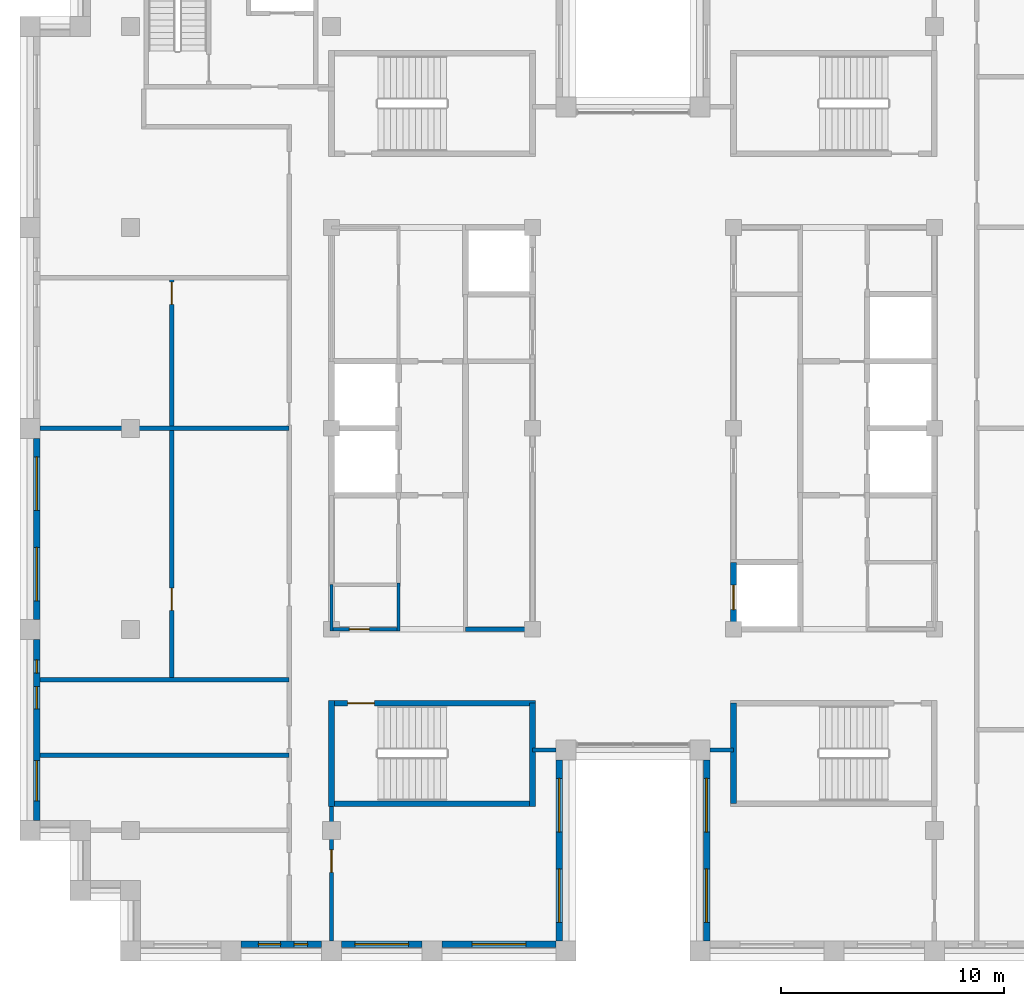
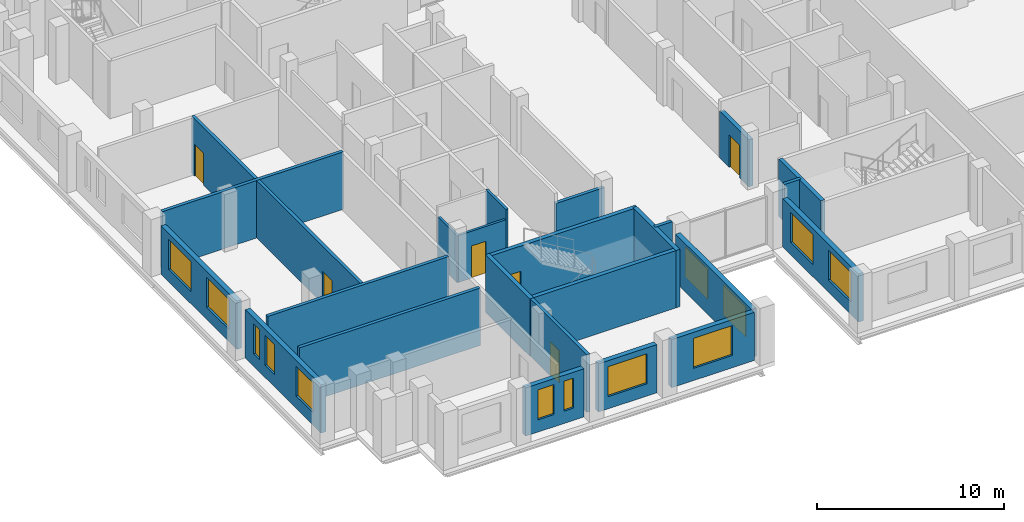
# One storey, part 6 of 13: 24 walls, 13 windows, 6 doors, 19 openings.
"""IFC4 building model written with IfcOpenShell, lengths in metres."""

from ifc_helpers import new_model, si_unit, direction, frame, frame_2d, origin, place, context, subcontext, project, spatial, rectangle, extrude, material, layer, layer_set, type_object, element, fill, save


model = new_model("IFC4")

# Units and contexts
model_context = context("Model", 3, precision=1e-05, world=origin(), true_north=direction((0.0, 1.0)))
body_context = subcontext(model_context, "Body", "Model", "MODEL_VIEW")
ifc_project = project(units=[si_unit("LENGTHUNIT", "METRE"), si_unit("AREAUNIT", "SQUARE_METRE"), si_unit("VOLUMEUNIT", "CUBIC_METRE"), si_unit("PLANEANGLEUNIT", "RADIAN"), si_unit("MASSUNIT", "GRAM", prefix="KILO")], contexts=[model_context])

# Site, building, storey
site_placement = place(None, origin())
site = spatial("IfcSite", under=ifc_project, at=site_placement, CompositionType="ELEMENT")
building_placement = place(site_placement, origin())
building = spatial("IfcBuilding", under=site, at=building_placement, Name="Corbelhall Arena Tower", CompositionType="ELEMENT")
storey_placement = place(building_placement, frame((0.0, 0.0, 308.0)))
storey = spatial("IfcBuildingStorey", under=building, at=storey_placement, Name="L67", CompositionType="ELEMENT", Elevation=308.0)

# Wall, openings, windows
ifc_material_1 = material(Name="Precast concrete C40/50 with granite facing", Category="masonry")
ifc_layer_1 = layer(ifc_material_1, 0.300048828125)
ifc_layer_set_1 = layer_set([ifc_layer_1], Name="EV-IW1 Infill panel 300")
wall_type_1 = type_object("IfcWallType", Name="EV-IW1 Infill panel 300", PredefinedType="SOLIDWALL", material=ifc_layer_set_1)
wall_1_placement = place(storey_placement, frame((-26.699951171875, -0.449951171875, 0.0), z_axis=(0.0, 0.0, 1.0), x_axis=(0.0, -1.0, 0.0)))
wall_1 = element("IfcWall", 1, at=wall_1_placement, inside=storey, type_object=wall_type_1, Name="Infill panel IW1", PredefinedType="SOLIDWALL", context=body_context, shape_type="SweptSolid", body=[
    extrude(rectangle(XDim=8.10009765625, YDim=0.300048828125, at=frame_2d((4.050048828125, 0.0))), origin(), (0.0, 0.0, 1.0), 3.139892578125),
])
opening_1_placement = place(wall_1_placement, frame((0.824951171875, 0.0, 0.800048828125)))
opening_1 = element("IfcOpeningElement", 2, at=opening_1_placement, cuts=wall_1, Name="Opening WN1", PredefinedType="OPENING", context=body_context, shape_type="SweptSolid", body=[
    extrude(rectangle(XDim=2.39990234375, YDim=1.949951171875, at=frame_2d((1.199951171875, 0.97509765625))), frame((0.0, 0.14990234375, 0.0), z_axis=(0.0, -1.0, 0.0), x_axis=(1.0, 0.0, 0.0)), (0.0, 0.0, 1.0), 0.300048828125),
])
opening_2_placement = place(wall_1_placement, frame((4.875, 0.0, 0.800048828125)))
opening_2 = element("IfcOpeningElement", 3, at=opening_2_placement, cuts=wall_1, Name="Opening WN1", PredefinedType="OPENING", context=body_context, shape_type="SweptSolid", body=[
    extrude(rectangle(XDim=2.39990234375, YDim=1.949951171875, at=frame_2d((1.199951171875, 0.97509765625))), frame((0.0, 0.14990234375, 0.0), z_axis=(0.0, -1.0, 0.0), x_axis=(1.0, 0.0, 0.0)), (0.0, 0.0, 1.0), 0.300048828125),
])
ifc_material_2 = material(Name="Aluminium black anodised", Category="aluminium")
window_type_1 = type_object("IfcWindowType", Name="EV-WN1 Office window", PartitioningType="SINGLE_PANEL", PredefinedType="WINDOW", material=ifc_material_2)
window_1_placement = place(opening_1_placement, origin())
window_1 = element("IfcWindow", 4, at=window_1_placement, inside=storey, type_object=window_type_1, Name="Window WN1", OverallHeight=1.949951171875, OverallWidth=2.39990234375, PartitioningType="SINGLE_PANEL", PredefinedType="WINDOW", context=body_context, shape_type="SweptSolid", body=[
    extrude(rectangle(XDim=2.39990234375, YDim=1.949951171875, at=frame_2d((1.199951171875, 0.97509765625))), frame((0.0, 0.030029296875, 0.0), z_axis=(0.0, -1.0, 0.0), x_axis=(1.0, 0.0, 0.0)), (0.0, 0.0, 1.0), 0.06005859375),
])
fill(opening_1, window_1)
window_2_placement = place(opening_2_placement, origin())
window_2 = element("IfcWindow", 5, at=window_2_placement, inside=storey, type_object=window_type_1, Name="Window WN1", OverallHeight=1.949951171875, OverallWidth=2.39990234375, PartitioningType="SINGLE_PANEL", PredefinedType="WINDOW", context=body_context, shape_type="SweptSolid", body=[
    extrude(rectangle(XDim=2.39990234375, YDim=1.949951171875, at=frame_2d((1.199951171875, 0.97509765625))), frame((0.0, 0.030029296875, 0.0), z_axis=(0.0, -1.0, 0.0), x_axis=(1.0, 0.0, 0.0)), (0.0, 0.0, 1.0), 0.06005859375),
])
fill(opening_2, window_2)

wall_2_placement = place(storey_placement, frame((-26.699951171875, -9.449951171875, 0.0), z_axis=(0.0, 0.0, 1.0), x_axis=(0.0, -1.0, 0.0)))
wall_2 = element("IfcWall", 6, at=wall_2_placement, inside=storey, type_object=wall_type_1, Name="Infill panel IW1", PredefinedType="SOLIDWALL", context=body_context, shape_type="SweptSolid", body=[
    extrude(rectangle(XDim=8.10009765625, YDim=0.300048828125, at=frame_2d((4.050048828125, 0.0))), origin(), (0.0, 0.0, 1.0), 3.139892578125),
])
opening_3_placement = place(wall_2_placement, frame((0.91259765625, 0.0, 0.800048828125)))
opening_3 = element("IfcOpeningElement", 7, at=opening_3_placement, cuts=wall_2, Name="Opening WN5", PredefinedType="OPENING", context=body_context, shape_type="SweptSolid", body=[
    extrude(rectangle(XDim=0.60009765625, YDim=1.949951171875, at=frame_2d((0.300048828125, 0.97509765625))), frame((0.0, 0.14990234375, 0.0), z_axis=(0.0, -1.0, 0.0), x_axis=(1.0, 0.0, 0.0)), (0.0, 0.0, 1.0), 0.300048828125),
])
opening_4_placement = place(wall_2_placement, frame((2.112548828125, 0.0, 0.800048828125)))
opening_4 = element("IfcOpeningElement", 8, at=opening_4_placement, cuts=wall_2, Name="Opening WN6", PredefinedType="OPENING", context=body_context, shape_type="SweptSolid", body=[
    extrude(rectangle(XDim=1.0, YDim=1.949951171875, at=frame_2d((0.5, 0.97509765625))), frame((0.0, 0.14990234375, 0.0), z_axis=(0.0, -1.0, 0.0), x_axis=(1.0, 0.0, 0.0)), (0.0, 0.0, 1.0), 0.300048828125),
])
opening_5_placement = place(wall_2_placement, frame((5.425048828125, 0.0, 0.800048828125)))
opening_5 = element("IfcOpeningElement", 9, at=opening_5_placement, cuts=wall_2, Name="Opening WN8", PredefinedType="OPENING", context=body_context, shape_type="SweptSolid", body=[
    extrude(rectangle(XDim=1.800048828125, YDim=1.949951171875, at=frame_2d((0.89990234375, 0.97509765625))), frame((0.0, 0.14990234375, 0.0), z_axis=(0.0, -1.0, 0.0), x_axis=(1.0, 0.0, 0.0)), (0.0, 0.0, 1.0), 0.300048828125),
])
window_type_2 = type_object("IfcWindowType", Name="EV-WN5 Office window 600", PartitioningType="SINGLE_PANEL", PredefinedType="WINDOW", material=ifc_material_2)
window_3_placement = place(opening_3_placement, origin())
window_3 = element("IfcWindow", 10, at=window_3_placement, inside=storey, type_object=window_type_2, Name="Window WN5", OverallHeight=1.949951171875, OverallWidth=0.60009765625, PartitioningType="SINGLE_PANEL", PredefinedType="WINDOW", context=body_context, shape_type="SweptSolid", body=[
    extrude(rectangle(XDim=0.60009765625, YDim=1.949951171875, at=frame_2d((0.300048828125, 0.97509765625))), frame((0.0, 0.030029296875, 0.0), z_axis=(0.0, -1.0, 0.0), x_axis=(1.0, 0.0, 0.0)), (0.0, 0.0, 1.0), 0.06005859375),
])
fill(opening_3, window_3)
window_type_3 = type_object("IfcWindowType", Name="EV-WN6 Office window 1000", PartitioningType="SINGLE_PANEL", PredefinedType="WINDOW", material=ifc_material_2)
window_4_placement = place(opening_4_placement, origin())
window_4 = element("IfcWindow", 11, at=window_4_placement, inside=storey, type_object=window_type_3, Name="Window WN6", OverallHeight=1.949951171875, OverallWidth=1.0, PartitioningType="SINGLE_PANEL", PredefinedType="WINDOW", context=body_context, shape_type="SweptSolid", body=[
    extrude(rectangle(XDim=1.0, YDim=1.949951171875, at=frame_2d((0.5, 0.97509765625))), frame((0.0, 0.030029296875, 0.0), z_axis=(0.0, -1.0, 0.0), x_axis=(1.0, 0.0, 0.0)), (0.0, 0.0, 1.0), 0.06005859375),
])
fill(opening_4, window_4)
window_type_4 = type_object("IfcWindowType", Name="EV-WN8 Office window 1800", PartitioningType="SINGLE_PANEL", PredefinedType="WINDOW", material=ifc_material_2)
window_5_placement = place(opening_5_placement, origin())
window_5 = element("IfcWindow", 12, at=window_5_placement, inside=storey, type_object=window_type_4, Name="Window WN8", OverallHeight=1.949951171875, OverallWidth=1.800048828125, PartitioningType="SINGLE_PANEL", PredefinedType="WINDOW", context=body_context, shape_type="SweptSolid", body=[
    extrude(rectangle(XDim=1.800048828125, YDim=1.949951171875, at=frame_2d((0.89990234375, 0.97509765625))), frame((0.0, 0.030029296875, 0.0), z_axis=(0.0, -1.0, 0.0), x_axis=(1.0, 0.0, 0.0)), (0.0, 0.0, 1.0), 0.06005859375),
])
fill(opening_5, window_5)

wall_3_placement = place(storey_placement, frame((-17.550048828125, -23.10009765625, 0.0), z_axis=(0.0, 0.0, 1.0), x_axis=(1.0, 0.0, 0.0)))
wall_3 = element("IfcWall", 13, at=wall_3_placement, inside=storey, type_object=wall_type_1, Name="Infill panel IW1", PredefinedType="SOLIDWALL", context=body_context, shape_type="SweptSolid", body=[
    extrude(rectangle(XDim=3.60009765625, YDim=0.300048828125, at=frame_2d((1.800048828125, 0.0))), origin(), (0.0, 0.0, 1.0), 3.139892578125),
])
opening_6_placement = place(wall_3_placement, frame((0.77490234375, 0.0, 0.800048828125)))
opening_6 = element("IfcOpeningElement", 14, at=opening_6_placement, cuts=wall_3, Name="Opening WN6", PredefinedType="OPENING", context=body_context, shape_type="SweptSolid", body=[
    extrude(rectangle(XDim=1.0, YDim=1.949951171875, at=frame_2d((0.5, 0.97509765625))), frame((0.0, 0.14990234375, 0.0), z_axis=(0.0, -1.0, 0.0), x_axis=(1.0, 0.0, 0.0)), (0.0, 0.0, 1.0), 0.300048828125),
])
opening_7_placement = place(wall_3_placement, frame((2.375, 0.0, 0.800048828125)))
opening_7 = element("IfcOpeningElement", 15, at=opening_7_placement, cuts=wall_3, Name="Opening WN5", PredefinedType="OPENING", context=body_context, shape_type="SweptSolid", body=[
    extrude(rectangle(XDim=0.60009765625, YDim=1.949951171875, at=frame_2d((0.300048828125, 0.97509765625))), frame((0.0, 0.14990234375, 0.0), z_axis=(0.0, -1.0, 0.0), x_axis=(1.0, 0.0, 0.0)), (0.0, 0.0, 1.0), 0.300048828125),
])
window_6_placement = place(opening_7_placement, origin())
window_6 = element("IfcWindow", 16, at=window_6_placement, inside=storey, type_object=window_type_2, Name="Window WN5", OverallHeight=1.949951171875, OverallWidth=0.60009765625, PartitioningType="SINGLE_PANEL", PredefinedType="WINDOW", context=body_context, shape_type="SweptSolid", body=[
    extrude(rectangle(XDim=0.60009765625, YDim=1.949951171875, at=frame_2d((0.300048828125, 0.97509765625))), frame((0.0, 0.030029296875, 0.0), z_axis=(0.0, -1.0, 0.0), x_axis=(1.0, 0.0, 0.0)), (0.0, 0.0, 1.0), 0.06005859375),
])
fill(opening_7, window_6)
window_7_placement = place(opening_6_placement, origin())
window_7 = element("IfcWindow", 17, at=window_7_placement, inside=storey, type_object=window_type_3, Name="Window WN6", OverallHeight=1.949951171875, OverallWidth=1.0, PartitioningType="SINGLE_PANEL", PredefinedType="WINDOW", context=body_context, shape_type="SweptSolid", body=[
    extrude(rectangle(XDim=1.0, YDim=1.949951171875, at=frame_2d((0.5, 0.97509765625))), frame((0.0, 0.030029296875, 0.0), z_axis=(0.0, -1.0, 0.0), x_axis=(1.0, 0.0, 0.0)), (0.0, 0.0, 1.0), 0.06005859375),
])
fill(opening_6, window_7)

# Wall, opening, window
wall_4_placement = place(storey_placement, frame((-13.050048828125, -23.10009765625, 0.0), z_axis=(0.0, 0.0, 1.0), x_axis=(1.0, 0.0, 0.0)))
wall_4 = element("IfcWall", 18, at=wall_4_placement, inside=storey, type_object=wall_type_1, Name="Infill panel IW1", PredefinedType="SOLIDWALL", context=body_context, shape_type="SweptSolid", body=[
    extrude(rectangle(XDim=3.60009765625, YDim=0.300048828125, at=frame_2d((1.800048828125, 0.0))), origin(), (0.0, 0.0, 1.0), 3.139892578125),
])
opening_8_placement = place(wall_4_placement, frame((0.60009765625, 0.0, 0.800048828125)))
opening_8 = element("IfcOpeningElement", 19, at=opening_8_placement, cuts=wall_4, Name="Opening WN1", PredefinedType="OPENING", context=body_context, shape_type="SweptSolid", body=[
    extrude(rectangle(XDim=2.39990234375, YDim=1.949951171875, at=frame_2d((1.199951171875, 0.97509765625))), frame((0.0, 0.14990234375, 0.0), z_axis=(0.0, -1.0, 0.0), x_axis=(1.0, 0.0, 0.0)), (0.0, 0.0, 1.0), 0.300048828125),
])
window_8_placement = place(opening_8_placement, origin())
window_8 = element("IfcWindow", 20, at=window_8_placement, inside=storey, type_object=window_type_1, Name="Window WN1", OverallHeight=1.949951171875, OverallWidth=2.39990234375, PartitioningType="SINGLE_PANEL", PredefinedType="WINDOW", context=body_context, shape_type="SweptSolid", body=[
    extrude(rectangle(XDim=2.39990234375, YDim=1.949951171875, at=frame_2d((1.199951171875, 0.97509765625))), frame((0.0, 0.030029296875, 0.0), z_axis=(0.0, -1.0, 0.0), x_axis=(1.0, 0.0, 0.0)), (0.0, 0.0, 1.0), 0.06005859375),
])
fill(opening_8, window_8)

wall_5_placement = place(storey_placement, frame((-8.550048828125, -23.10009765625, 0.0), z_axis=(0.0, 0.0, 1.0), x_axis=(1.0, 0.0, 0.0)))
wall_5 = element("IfcWall", 21, at=wall_5_placement, inside=storey, type_object=wall_type_1, Name="Infill panel IW1", PredefinedType="SOLIDWALL", context=body_context, shape_type="SweptSolid", body=[
    extrude(rectangle(XDim=5.10009765625, YDim=0.300048828125, at=frame_2d((2.550048828125, 0.0))), origin(), (0.0, 0.0, 1.0), 3.139892578125),
])
opening_9_placement = place(wall_5_placement, frame((1.35009765625, 0.0, 0.800048828125)))
opening_9 = element("IfcOpeningElement", 22, at=opening_9_placement, cuts=wall_5, Name="Opening WN1", PredefinedType="OPENING", context=body_context, shape_type="SweptSolid", body=[
    extrude(rectangle(XDim=2.39990234375, YDim=1.949951171875, at=frame_2d((1.199951171875, 0.97509765625))), frame((0.0, 0.14990234375, 0.0), z_axis=(0.0, -1.0, 0.0), x_axis=(1.0, 0.0, 0.0)), (0.0, 0.0, 1.0), 0.300048828125),
])
window_9_placement = place(opening_9_placement, origin())
window_9 = element("IfcWindow", 23, at=window_9_placement, inside=storey, type_object=window_type_1, Name="Window WN1", OverallHeight=1.949951171875, OverallWidth=2.39990234375, PartitioningType="SINGLE_PANEL", PredefinedType="WINDOW", context=body_context, shape_type="SweptSolid", body=[
    extrude(rectangle(XDim=2.39990234375, YDim=1.949951171875, at=frame_2d((1.199951171875, 0.97509765625))), frame((0.0, 0.030029296875, 0.0), z_axis=(0.0, -1.0, 0.0), x_axis=(1.0, 0.0, 0.0)), (0.0, 0.0, 1.0), 0.06005859375),
])
fill(opening_9, window_9)

# Wall, openings, windows
wall_6_placement = place(storey_placement, frame((-3.300048828125, -22.949951171875, 0.0), z_axis=(0.0, 0.0, 1.0), x_axis=(0.0, 1.0, 0.0)))
wall_6 = element("IfcWall", 24, at=wall_6_placement, inside=storey, type_object=wall_type_1, Name="Infill panel IW1", PredefinedType="SOLIDWALL", context=body_context, shape_type="SweptSolid", body=[
    extrude(rectangle(XDim=8.099853515625, YDim=0.300048828125, at=frame_2d((4.0498046875, 0.0))), origin(), (0.0, 0.0, 1.0), 3.139892578125),
])
opening_10_placement = place(wall_6_placement, frame((0.824951171875, 0.0, 0.800048828125)))
opening_10 = element("IfcOpeningElement", 25, at=opening_10_placement, cuts=wall_6, Name="Opening WN1", PredefinedType="OPENING", context=body_context, shape_type="SweptSolid", body=[
    extrude(rectangle(XDim=2.39990234375, YDim=1.949951171875, at=frame_2d((1.199951171875, 0.97509765625))), frame((0.0, 0.14990234375, 0.0), z_axis=(0.0, -1.0, 0.0), x_axis=(1.0, 0.0, 0.0)), (0.0, 0.0, 1.0), 0.300048828125),
])
opening_11_placement = place(wall_6_placement, frame((4.875, 0.0, 0.800048828125)))
opening_11 = element("IfcOpeningElement", 26, at=opening_11_placement, cuts=wall_6, Name="Opening WN1", PredefinedType="OPENING", context=body_context, shape_type="SweptSolid", body=[
    extrude(rectangle(XDim=2.39990234375, YDim=1.949951171875, at=frame_2d((1.199951171875, 0.97509765625))), frame((0.0, 0.14990234375, 0.0), z_axis=(0.0, -1.0, 0.0), x_axis=(1.0, 0.0, 0.0)), (0.0, 0.0, 1.0), 0.300048828125),
])
window_10_placement = place(opening_10_placement, origin())
window_10 = element("IfcWindow", 27, at=window_10_placement, inside=storey, type_object=window_type_1, Name="Window WN1", OverallHeight=1.949951171875, OverallWidth=2.39990234375, PartitioningType="SINGLE_PANEL", PredefinedType="WINDOW", context=body_context, shape_type="SweptSolid", body=[
    extrude(rectangle(XDim=2.39990234375, YDim=1.949951171875, at=frame_2d((1.199951171875, 0.97509765625))), frame((0.0, 0.030029296875, 0.0), z_axis=(0.0, -1.0, 0.0), x_axis=(1.0, 0.0, 0.0)), (0.0, 0.0, 1.0), 0.06005859375),
])
fill(opening_10, window_10)
window_11_placement = place(opening_11_placement, origin())
window_11 = element("IfcWindow", 28, at=window_11_placement, inside=storey, type_object=window_type_1, Name="Window WN1", OverallHeight=1.949951171875, OverallWidth=2.39990234375, PartitioningType="SINGLE_PANEL", PredefinedType="WINDOW", context=body_context, shape_type="SweptSolid", body=[
    extrude(rectangle(XDim=2.39990234375, YDim=1.949951171875, at=frame_2d((1.199951171875, 0.97509765625))), frame((0.0, 0.030029296875, 0.0), z_axis=(0.0, -1.0, 0.0), x_axis=(1.0, 0.0, 0.0)), (0.0, 0.0, 1.0), 0.06005859375),
])
fill(opening_11, window_11)

wall_7_placement = place(storey_placement, frame((3.300048828125, -14.85009765625, 0.0), z_axis=(0.0, 0.0, 1.0), x_axis=(0.0, -1.0, 0.0)))
wall_7 = element("IfcWall", 29, at=wall_7_placement, inside=storey, type_object=wall_type_1, Name="Infill panel IW1", PredefinedType="SOLIDWALL", context=body_context, shape_type="SweptSolid", body=[
    extrude(rectangle(XDim=8.099853515625, YDim=0.300048828125, at=frame_2d((4.0498046875, 0.0))), origin(), (0.0, 0.0, 1.0), 3.139892578125),
])
opening_12_placement = place(wall_7_placement, frame((0.824951171875, 0.0, 0.800048828125)))
opening_12 = element("IfcOpeningElement", 30, at=opening_12_placement, cuts=wall_7, Name="Opening WN1", PredefinedType="OPENING", context=body_context, shape_type="SweptSolid", body=[
    extrude(rectangle(XDim=2.39990234375, YDim=1.949951171875, at=frame_2d((1.199951171875, 0.97509765625))), frame((0.0, 0.14990234375, 0.0), z_axis=(0.0, -1.0, 0.0), x_axis=(1.0, 0.0, 0.0)), (0.0, 0.0, 1.0), 0.300048828125),
])
opening_13_placement = place(wall_7_placement, frame((4.875, 0.0, 0.800048828125)))
opening_13 = element("IfcOpeningElement", 31, at=opening_13_placement, cuts=wall_7, Name="Opening WN1", PredefinedType="OPENING", context=body_context, shape_type="SweptSolid", body=[
    extrude(rectangle(XDim=2.39990234375, YDim=1.949951171875, at=frame_2d((1.199951171875, 0.97509765625))), frame((0.0, 0.14990234375, 0.0), z_axis=(0.0, -1.0, 0.0), x_axis=(1.0, 0.0, 0.0)), (0.0, 0.0, 1.0), 0.300048828125),
])
window_12_placement = place(opening_12_placement, origin())
window_12 = element("IfcWindow", 32, at=window_12_placement, inside=storey, type_object=window_type_1, Name="Window WN1", OverallHeight=1.949951171875, OverallWidth=2.39990234375, PartitioningType="SINGLE_PANEL", PredefinedType="WINDOW", context=body_context, shape_type="SweptSolid", body=[
    extrude(rectangle(XDim=2.39990234375, YDim=1.949951171875, at=frame_2d((1.199951171875, 0.97509765625))), frame((0.0, 0.030029296875, 0.0), z_axis=(0.0, -1.0, 0.0), x_axis=(1.0, 0.0, 0.0)), (0.0, 0.0, 1.0), 0.06005859375),
])
fill(opening_12, window_12)
window_13_placement = place(opening_13_placement, origin())
window_13 = element("IfcWindow", 33, at=window_13_placement, inside=storey, type_object=window_type_1, Name="Window WN1", OverallHeight=1.949951171875, OverallWidth=2.39990234375, PartitioningType="SINGLE_PANEL", PredefinedType="WINDOW", context=body_context, shape_type="SweptSolid", body=[
    extrude(rectangle(XDim=2.39990234375, YDim=1.949951171875, at=frame_2d((1.199951171875, 0.97509765625))), frame((0.0, 0.030029296875, 0.0), z_axis=(0.0, -1.0, 0.0), x_axis=(1.0, 0.0, 0.0)), (0.0, 0.0, 1.0), 0.06005859375),
])
fill(opening_13, window_13)

# Walls
ifc_material_3 = material(Name="Gypsum board on steel stud, acoustic", Category="steel")
ifc_layer_2 = layer(ifc_material_3, 0.199951171875)
ifc_layer_set_2 = layer_set([ifc_layer_2], Name="IN-W-DM200")
wall_type_2 = type_object("IfcWallType", Name="IN-W-DM200", PredefinedType="PARTITIONING", material=ifc_layer_set_2)
for number, where, z_axis, x_axis, name in (
    (34, (-26.550048828125, -14.625, 0.0), (0.0, 0.0, 1.0), (1.0, 0.0, 0.0), "Partition 001"),
    (35, (-26.550048828125, -11.25, 0.0), (0.0, 0.0, 1.0), (1.0, 0.0, 0.0), "Partition 002"),
):
    element("IfcWall", number, at=place(storey_placement, frame(where, z_axis=z_axis, x_axis=x_axis)), inside=storey, type_object=wall_type_2, Name=name, PredefinedType="PARTITIONING", context=body_context, shape_type="SweptSolid", body=[
        extrude(rectangle(XDim=11.150146484375, YDim=0.199951171875, at=frame_2d((5.5751953125, 0.0))), origin(), (0.0, 0.0, 1.0), 3.739990234375),
    ])

# Wall, openings, doors
wall_8_placement = place(storey_placement, frame((-20.64990234375, -11.25, 0.0), z_axis=(0.0, 0.0, 1.0), x_axis=(0.0, 1.0, 0.0)))
wall_8 = element("IfcWall", 36, at=wall_8_placement, inside=storey, type_object=wall_type_2, Name="Partition 007", PredefinedType="PARTITIONING", context=body_context, shape_type="SweptSolid", body=[
    extrude(rectangle(XDim=18.10009765625, YDim=0.199951171875, at=frame_2d((9.050048828125, 0.0))), origin(), (0.0, 0.0, 1.0), 3.739990234375),
])
opening_14_placement = place(wall_8_placement, frame((16.800048828125, 0.0, 0.0)))
opening_14 = element("IfcOpeningElement", 37, at=opening_14_placement, cuts=wall_8, Name="Opening 21022", PredefinedType="OPENING", context=body_context, shape_type="SweptSolid", body=[
    extrude(rectangle(XDim=1.0, YDim=2.10009765625, at=frame_2d((0.5, 1.050048828125))), frame((0.0, 0.10009765625, 0.0), z_axis=(0.0, -1.0, 0.0), x_axis=(1.0, 0.0, 0.0)), (0.0, 0.0, 1.0), 0.199951171875),
])
opening_15_placement = place(wall_8_placement, frame((3.10009765625, 0.0, 0.0)))
opening_15 = element("IfcOpeningElement", 38, at=opening_15_placement, cuts=wall_8, Name="Opening 21028", PredefinedType="OPENING", context=body_context, shape_type="SweptSolid", body=[
    extrude(rectangle(XDim=1.0, YDim=2.10009765625, at=frame_2d((0.5, 1.050048828125))), frame((0.0, 0.10009765625, 0.0), z_axis=(0.0, -1.0, 0.0), x_axis=(1.0, 0.0, 0.0)), (0.0, 0.0, 1.0), 0.199951171875),
])
ifc_material_4 = material(Name="Steel door set", Category="steel")
door_type_1 = type_object("IfcDoorType", Name="IN-D-SW100", OperationType="NOTDEFINED", PredefinedType="DOOR", material=ifc_material_4)
door_1_placement = place(opening_14_placement, origin())
door_1 = element("IfcDoor", 39, at=door_1_placement, inside=storey, type_object=door_type_1, Name="Door 022", OperationType="SINGLE_SWING_LEFT", OverallHeight=2.10009765625, OverallWidth=1.0, PredefinedType="DOOR", context=body_context, shape_type="SweptSolid", body=[
    extrude(rectangle(XDim=1.0, YDim=2.10009765625, at=frame_2d((0.5, 1.050048828125))), frame((0.0, 0.02490234375, 0.0), z_axis=(0.0, -1.0, 0.0), x_axis=(1.0, 0.0, 0.0)), (0.0, 0.0, 1.0), 0.050048828125),
])
fill(opening_14, door_1)
door_2_placement = place(opening_15_placement, origin())
door_2 = element("IfcDoor", 40, at=door_2_placement, inside=storey, type_object=door_type_1, Name="Door 028", OperationType="SINGLE_SWING_LEFT", OverallHeight=2.10009765625, OverallWidth=1.0, PredefinedType="DOOR", context=body_context, shape_type="SweptSolid", body=[
    extrude(rectangle(XDim=1.0, YDim=2.10009765625, at=frame_2d((0.5, 1.050048828125))), frame((0.0, 0.02490234375, 0.0), z_axis=(0.0, -1.0, 0.0), x_axis=(1.0, 0.0, 0.0)), (0.0, 0.0, 1.0), 0.050048828125),
])
fill(opening_15, door_2)

# Wall
wall_9_placement = place(storey_placement, frame((-15.39990234375, 0.0, 0.0), z_axis=(0.0, 0.0, 1.0), x_axis=(-1.0, 0.0, 0.0)))
element("IfcWall", 41, at=wall_9_placement, inside=storey, type_object=wall_type_2, Name="Partition 008", PredefinedType="PARTITIONING", context=body_context, shape_type="SweptSolid", body=[
    extrude(rectangle(XDim=11.150146484375, YDim=0.199951171875, at=frame_2d((5.5751953125, 0.0))), origin(), (0.0, 0.0, 1.0), 3.739990234375),
])

# Wall, opening, door
wall_10_placement = place(storey_placement, frame((-13.5, -16.675048828125, 0.0), z_axis=(0.0, 0.0, 1.0), x_axis=(0.0, -1.0, 0.0)))
wall_10 = element("IfcWall", 42, at=wall_10_placement, inside=storey, type_object=wall_type_2, Name="Partition 013", PredefinedType="PARTITIONING", context=body_context, shape_type="SweptSolid", body=[
    extrude(rectangle(XDim=6.27490234375, YDim=0.199951171875, at=frame_2d((3.137451171875, 0.0))), origin(), (0.0, 0.0, 1.0), 3.739990234375),
])
opening_16_placement = place(wall_10_placement, frame((2.199951171875, 0.0, 0.0)))
opening_16 = element("IfcOpeningElement", 43, at=opening_16_placement, cuts=wall_10, Name="Opening 21019", PredefinedType="OPENING", context=body_context, shape_type="SweptSolid", body=[
    extrude(rectangle(XDim=1.0, YDim=2.10009765625, at=frame_2d((0.5, 1.050048828125))), frame((0.0, 0.10009765625, 0.0), z_axis=(0.0, -1.0, 0.0), x_axis=(1.0, 0.0, 0.0)), (0.0, 0.0, 1.0), 0.199951171875),
])
door_3_placement = place(opening_16_placement, origin())
door_3 = element("IfcDoor", 44, at=door_3_placement, inside=storey, type_object=door_type_1, Name="Door 019", OperationType="SINGLE_SWING_RIGHT", OverallHeight=2.10009765625, OverallWidth=1.0, PredefinedType="DOOR", context=body_context, shape_type="SweptSolid", body=[
    extrude(rectangle(XDim=1.0, YDim=2.10009765625, at=frame_2d((0.5, 1.050048828125))), frame((0.0, 0.02490234375, 0.0), z_axis=(0.0, -1.0, 0.0), x_axis=(1.0, 0.0, 0.0)), (0.0, 0.0, 1.0), 0.050048828125),
])
fill(opening_16, door_3)

# Walls
for number, where, z_axis, x_axis, name in (
    (45, (-3.449951171875, -14.39990234375, 0.0), (0.0, 0.0, 1.0), (-1.0, 0.0, 0.0), "Partition 015"),
    (46, (4.5, -14.39990234375, 0.0), (0.0, 0.0, 1.0), (-1.0, 0.0, 0.0), "Partition 017"),
):
    element("IfcWall", number, at=place(storey_placement, frame(where, z_axis=z_axis, x_axis=x_axis)), inside=storey, type_object=wall_type_2, Name=name, PredefinedType="PARTITIONING", context=body_context, shape_type="SweptSolid", body=[
        extrude(rectangle(XDim=1.050048828125, YDim=0.199951171875, at=frame_2d((0.52490234375, 0.0))), origin(), (0.0, 0.0, 1.0), 3.739990234375),
    ])
ifc_material_5 = material(Name="Concrete block wall", Category="concrete")
ifc_layer_3 = layer(ifc_material_5, 0.199951171875)
ifc_layer_set_3 = layer_set([ifc_layer_3], Name="IN-W-RS200 under beam 678 mm")
wall_type_3 = type_object("IfcWallType", Name="IN-W-RS200 under beam 678 mm", PredefinedType="SOLIDWALL", material=ifc_layer_set_3)
wall_11_placement = place(storey_placement, frame((-4.5, -9.0, 0.0), z_axis=(0.0, 0.0, 1.0), x_axis=(-1.0, 0.0, 0.0)))
element("IfcWall", 47, at=wall_11_placement, inside=storey, type_object=wall_type_3, Name="Partition 032", PredefinedType="SOLIDWALL", context=body_context, shape_type="SweptSolid", body=[
    extrude(rectangle(XDim=3.0, YDim=0.199951171875, at=frame_2d((1.5, 0.0))), origin(), (0.0, 0.0, 1.0), 3.061767578125),
])

# Wall, opening, door
ifc_material_6 = material(Name="Concrete C40/50", Category="concrete")
ifc_layer_4 = layer(ifc_material_6, 0.25)
ifc_layer_set_4 = layer_set([ifc_layer_4], Name="IN-W-SH250 under beam 678 mm")
wall_type_4 = type_object("IfcWallType", Name="IN-W-SH250 under beam 678 mm", PredefinedType="SOLIDWALL", material=ifc_layer_set_4)
wall_12_placement = place(storey_placement, frame((4.5, -9.125, 0.0), z_axis=(0.0, 0.0, 1.0), x_axis=(0.0, 1.0, 0.0)))
wall_12 = element("IfcWall", 48, at=wall_12_placement, inside=storey, type_object=wall_type_4, Name="Shaft wall 055", PredefinedType="SOLIDWALL", context=body_context, shape_type="SweptSolid", body=[
    extrude(rectangle(XDim=3.125, YDim=0.25, at=frame_2d((1.5625, 0.0))), origin(), (0.0, 0.0, 1.0), 3.061767578125),
])
opening_17_placement = place(wall_12_placement, frame((1.012451171875, 0.0, 0.0)))
opening_17 = element("IfcOpeningElement", 49, at=opening_17_placement, cuts=wall_12, Name="Opening LD", PredefinedType="OPENING", context=body_context, shape_type="SweptSolid", body=[
    extrude(rectangle(XDim=1.10009765625, YDim=2.10009765625, at=frame_2d((0.550048828125, 1.050048828125))), frame((0.0, 0.125, 0.0), z_axis=(0.0, -1.0, 0.0), x_axis=(1.0, 0.0, 0.0)), (0.0, 0.0, 1.0), 0.25),
])
door_type_2 = type_object("IfcDoorType", Name="IN-D-LD110", OperationType="NOTDEFINED", PredefinedType="DOOR", material=ifc_material_4)
door_4_placement = place(opening_17_placement, origin())
door_4 = element("IfcDoor", 50, at=door_4_placement, inside=storey, type_object=door_type_2, Name="Landing door E1", OperationType="SLIDING_TO_LEFT", OverallHeight=2.10009765625, OverallWidth=1.10009765625, PredefinedType="DOOR", context=body_context, shape_type="SweptSolid", body=[
    extrude(rectangle(XDim=1.10009765625, YDim=2.10009765625, at=frame_2d((0.550048828125, 1.050048828125))), frame((0.0, 0.02490234375, 0.0), z_axis=(0.0, -1.0, 0.0), x_axis=(1.0, 0.0, 0.0)), (0.0, 0.0, 1.0), 0.050048828125),
])
fill(opening_17, door_4)

# Walls
ifc_layer_5 = layer(ifc_material_6, 0.25)
ifc_layer_set_5 = layer_set([ifc_layer_5], Name="IN-W-ST250")
wall_type_5 = type_object("IfcWallType", Name="IN-W-ST250", PredefinedType="SOLIDWALL", material=ifc_layer_set_5)
wall_13_placement = place(storey_placement, frame((-13.5, -12.175048828125, 0.0), z_axis=(0.0, 0.0, 1.0), x_axis=(0.0, -1.0, 0.0)))
element("IfcWall", 51, at=wall_13_placement, inside=storey, type_object=wall_type_5, Name="Shaft wall 065", PredefinedType="SOLIDWALL", context=body_context, shape_type="SweptSolid", body=[
    extrude(rectangle(XDim=4.75, YDim=0.25, at=frame_2d((2.375, 0.0))), origin(), (0.0, 0.0, 1.0), 3.739990234375),
])
wall_14_placement = place(storey_placement, frame((-4.5, -16.800048828125, 0.0), z_axis=(0.0, 0.0, 1.0), x_axis=(-1.0, 0.0, 0.0)))
element("IfcWall", 52, at=wall_14_placement, inside=storey, type_object=wall_type_5, Name="Shaft wall 069", PredefinedType="SOLIDWALL", context=body_context, shape_type="SweptSolid", body=[
    extrude(rectangle(XDim=9.0, YDim=0.25, at=frame_2d((4.5, 0.0))), origin(), (0.0, 0.0, 1.0), 3.739990234375),
])
wall_15_placement = place(storey_placement, frame((-4.5, -12.300048828125, 0.0), z_axis=(0.0, 0.0, 1.0), x_axis=(0.0, -1.0, 0.0)))
element("IfcWall", 53, at=wall_15_placement, inside=storey, type_object=wall_type_5, Name="Shaft wall 070", PredefinedType="SOLIDWALL", context=body_context, shape_type="SweptSolid", body=[
    extrude(rectangle(XDim=4.625, YDim=0.25, at=frame_2d((2.3125, 0.0))), origin(), (0.0, 0.0, 1.0), 3.739990234375),
])

# Wall, opening, door
wall_16_placement = place(storey_placement, frame((-4.375, -12.300048828125, 0.0), z_axis=(0.0, 0.0, 1.0), x_axis=(-1.0, 0.0, 0.0)))
wall_16 = element("IfcWall", 54, at=wall_16_placement, inside=storey, type_object=wall_type_5, Name="Shaft wall 072", PredefinedType="SOLIDWALL", context=body_context, shape_type="SweptSolid", body=[
    extrude(rectangle(XDim=9.125, YDim=0.25, at=frame_2d((4.5625, 0.0))), origin(), (0.0, 0.0, 1.0), 3.739990234375),
])
opening_18_placement = place(wall_16_placement, frame((7.199951171875, 0.0, 0.0)))
opening_18 = element("IfcOpeningElement", 55, at=opening_18_placement, cuts=wall_16, Name="Opening 21015", PredefinedType="OPENING", context=body_context, shape_type="SweptSolid", body=[
    extrude(rectangle(XDim=1.199951171875, YDim=2.10009765625, at=frame_2d((0.60009765625, 1.050048828125))), frame((0.0, 0.125, 0.0), z_axis=(0.0, -1.0, 0.0), x_axis=(1.0, 0.0, 0.0)), (0.0, 0.0, 1.0), 0.25),
])
door_type_3 = type_object("IfcDoorType", Name="IN-D-ST120", OperationType="NOTDEFINED", PredefinedType="DOOR", material=ifc_material_4)
door_5_placement = place(opening_18_placement, origin())
door_5 = element("IfcDoor", 56, at=door_5_placement, inside=storey, type_object=door_type_3, Name="Door 015", OperationType="SINGLE_SWING_RIGHT", OverallHeight=2.10009765625, OverallWidth=1.199951171875, PredefinedType="DOOR", context=body_context, shape_type="SweptSolid", body=[
    extrude(rectangle(XDim=1.199951171875, YDim=2.10009765625, at=frame_2d((0.60009765625, 1.050048828125))), frame((0.0, 0.02490234375, 0.0), z_axis=(0.0, -1.0, 0.0), x_axis=(1.0, 0.0, 0.0)), (0.0, 0.0, 1.0), 0.050048828125),
])
fill(opening_18, door_5)

# Walls
wall_17_placement = place(storey_placement, frame((4.5, -16.800048828125, 0.0), z_axis=(0.0, 0.0, 1.0), x_axis=(0.0, 1.0, 0.0)))
element("IfcWall", 57, at=wall_17_placement, inside=storey, type_object=wall_type_5, Name="Shaft wall 075", PredefinedType="SOLIDWALL", context=body_context, shape_type="SweptSolid", body=[
    extrude(rectangle(XDim=4.5, YDim=0.25, at=frame_2d((2.25, 0.0))), origin(), (0.0, 0.0, 1.0), 3.739990234375),
])
ifc_material_7 = material(Name="Gypsum board on steel stud, moisture resistant", Category="steel")
ifc_layer_6 = layer(ifc_material_7, 0.14990234375)
ifc_layer_set_6 = layer_set([ifc_layer_6], Name="IN-W-WC150")
wall_type_6 = type_object("IfcWallType", Name="IN-W-WC150", PredefinedType="PARTITIONING", material=ifc_layer_set_6)
wall_18_placement = place(storey_placement, frame((-10.5, -9.074951171875, 0.0), z_axis=(0.0, 0.0, 1.0), x_axis=(0.0, 1.0, 0.0)))
element("IfcWall", 58, at=wall_18_placement, inside=storey, type_object=wall_type_6, Name="Partition 085", PredefinedType="PARTITIONING", context=body_context, shape_type="SweptSolid", body=[
    extrude(rectangle(XDim=2.14990234375, YDim=0.14990234375, at=frame_2d((1.074951171875, 0.0))), origin(), (0.0, 0.0, 1.0), 3.739990234375),
])
ifc_layer_7 = layer(ifc_material_7, 0.14990234375)
ifc_layer_set_7 = layer_set([ifc_layer_7], Name="IN-W-WC150 under beam 678 mm")
wall_type_7 = type_object("IfcWallType", Name="IN-W-WC150 under beam 678 mm", PredefinedType="PARTITIONING", material=ifc_layer_set_7)
wall_19_placement = place(storey_placement, frame((-13.5, -9.074951171875, 0.0), z_axis=(0.0, 0.0, 1.0), x_axis=(0.0, 1.0, 0.0)))
element("IfcWall", 59, at=wall_19_placement, inside=storey, type_object=wall_type_7, Name="Partition 082", PredefinedType="PARTITIONING", context=body_context, shape_type="SweptSolid", body=[
    extrude(rectangle(XDim=2.074951171875, YDim=0.14990234375, at=frame_2d((1.03759765625, 0.0))), origin(), (0.0, 0.0, 1.0), 3.061767578125),
])

# Wall, opening, door
wall_20_placement = place(storey_placement, frame((-10.5, -9.0, 0.0), z_axis=(0.0, 0.0, 1.0), x_axis=(-1.0, 0.0, 0.0)))
wall_20 = element("IfcWall", 60, at=wall_20_placement, inside=storey, type_object=wall_type_7, Name="Partition 086", PredefinedType="PARTITIONING", context=body_context, shape_type="SweptSolid", body=[
    extrude(rectangle(XDim=3.0, YDim=0.14990234375, at=frame_2d((1.5, 0.0))), origin(), (0.0, 0.0, 1.0), 3.061767578125),
])
opening_19_placement = place(wall_20_placement, frame((1.300048828125, 0.0, 0.0)))
opening_19 = element("IfcOpeningElement", 61, at=opening_19_placement, cuts=wall_20, Name="Opening 21005", PredefinedType="OPENING", context=body_context, shape_type="SweptSolid", body=[
    extrude(rectangle(XDim=0.89990234375, YDim=2.10009765625, at=frame_2d((0.449951171875, 1.050048828125))), frame((0.0, 0.074951171875, 0.0), z_axis=(0.0, -1.0, 0.0), x_axis=(1.0, 0.0, 0.0)), (0.0, 0.0, 1.0), 0.14990234375),
])
ifc_material_8 = material(Name="Timber door set", Category="wood")
door_type_4 = type_object("IfcDoorType", Name="IN-D-SW90", OperationType="NOTDEFINED", PredefinedType="DOOR", material=ifc_material_8)
door_6_placement = place(opening_19_placement, origin())
door_6 = element("IfcDoor", 62, at=door_6_placement, inside=storey, type_object=door_type_4, Name="Door 005", OperationType="SINGLE_SWING_RIGHT", OverallHeight=2.10009765625, OverallWidth=0.89990234375, PredefinedType="DOOR", context=body_context, shape_type="SweptSolid", body=[
    extrude(rectangle(XDim=0.89990234375, YDim=2.10009765625, at=frame_2d((0.449951171875, 1.050048828125))), frame((0.0, 0.02490234375, 0.0), z_axis=(0.0, -1.0, 0.0), x_axis=(1.0, 0.0, 0.0)), (0.0, 0.0, 1.0), 0.050048828125),
])
fill(opening_19, door_6)

save(model, "model.ifc")
